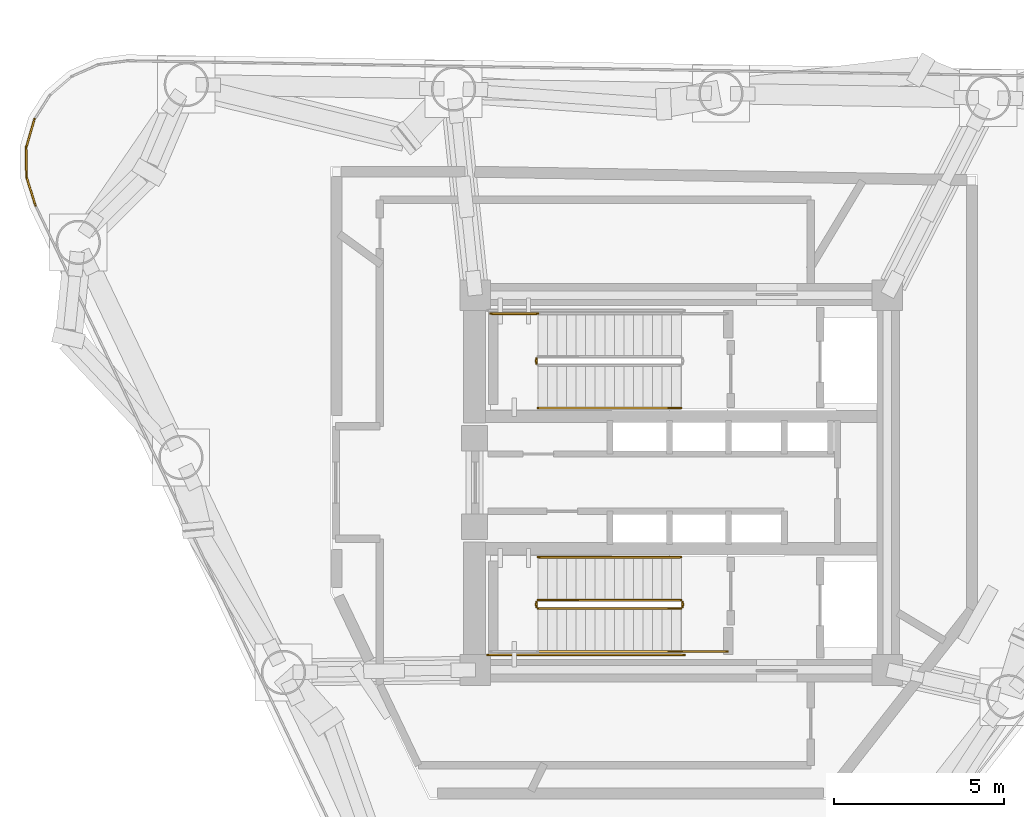
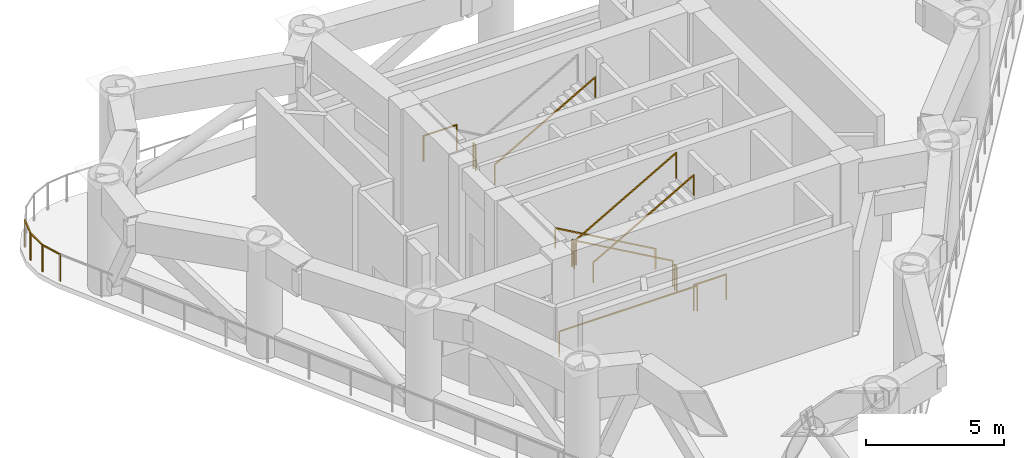
# One storey, part 7 of 9: 14 railings.
"""IFC4 building model written with IfcOpenShell, lengths in metres."""

from ifc_helpers import new_model, si_unit, direction, frame, origin, origin_2d, place, context, subcontext, project, spatial, rectangle, extrude, material, type_object, element, save


model = new_model("IFC4")

# Units and contexts
model_context = context("Model", 3, precision=1e-05, world=origin(), true_north=direction((0.0, 1.0)))
body_context = subcontext(model_context, "Body", "Model", "MODEL_VIEW")
ifc_project = project(units=[si_unit("LENGTHUNIT", "METRE"), si_unit("AREAUNIT", "SQUARE_METRE"), si_unit("VOLUMEUNIT", "CUBIC_METRE"), si_unit("PLANEANGLEUNIT", "RADIAN"), si_unit("MASSUNIT", "GRAM", prefix="KILO")], contexts=[model_context])

# Site, building, storey
site_placement = place(None, origin())
site = spatial("IfcSite", under=ifc_project, at=site_placement, CompositionType="ELEMENT")
building_placement = place(site_placement, origin())
building = spatial("IfcBuilding", under=site, at=building_placement, Name="Yunling Apex Tower", CompositionType="ELEMENT")
storey_placement = place(building_placement, frame((0.0, 0.0, 153.64990234375)))
storey = spatial("IfcBuildingStorey", under=building, at=storey_placement, Name="RF4", CompositionType="ELEMENT", Elevation=153.64990234375)

# Railings
ifc_material_1 = material(Name="Bronze anodised aluminium", Category="aluminium")
railing_type_1 = type_object("IfcRailingType", Name="RL-BAL-1200", PredefinedType="BALUSTRADE", material=ifc_material_1)
railing_1_placement = place(storey_placement, frame((-18.972412109375, 8.143310546875, 0.0)))
element("IfcRailing", 1, at=railing_1_placement, inside=storey, type_object=railing_type_1, Name="RL-REF-RF4-02", PredefinedType="BALUSTRADE", context=body_context, shape_type="SweptSolid", body=[
    extrude(rectangle(XDim=0.0439453125, YDim=0.0439453125, at=origin_2d()), origin(), (0.0, 0.0, 1.0), 1.199951171875),
    extrude(rectangle(XDim=0.0439453125, YDim=0.0439453125, at=origin_2d()), frame((-0.264892578125, 0.8564453125, 0.0)), (0.0, 0.0, 1.0), 1.199951171875),
    extrude(rectangle(XDim=0.050048828125, YDim=0.050048828125, at=origin_2d()), frame((-0.01123046875, 0.03662109375, 1.1748046875), z_axis=(-0.295482535201, 0.95534814146, 0.0), x_axis=(-0.95534814146, -0.295482535201, 0.0)), (0.0, 0.0, 1.0), 0.81982421875),
])
railing_2_placement = place(storey_placement, frame((-19.232666015625, 8.97021484375, 0.0)))
element("IfcRailing", 2, at=railing_2_placement, inside=storey, type_object=railing_type_1, Name="RL-REF-RF4-03", PredefinedType="BALUSTRADE", context=body_context, shape_type="SweptSolid", body=[
    extrude(rectangle(XDim=0.0439453125, YDim=0.0439453125, at=origin_2d()), origin(), (0.0, 0.0, 1.0), 1.199951171875),
    extrude(rectangle(XDim=0.0439453125, YDim=0.0439453125, at=origin_2d()), frame((-0.008544921875, 0.883056640625, 0.0)), (0.0, 0.0, 1.0), 1.199951171875),
    extrude(rectangle(XDim=0.050048828125, YDim=0.050048828125, at=origin_2d()), frame((-0.00048828125, 0.038330078125, 1.1748046875), z_axis=(-0.009676074509, 0.999953185695, 0.0), x_axis=(-0.999953185695, -0.009676074509, 0.0)), (0.0, 0.0, 1.0), 0.806396484375),
])
railing_3_placement = place(storey_placement, frame((-19.2451171875, 9.823974609375, 0.0)))
element("IfcRailing", 3, at=railing_3_placement, inside=storey, type_object=railing_type_1, Name="RL-REF-RF4-04", PredefinedType="BALUSTRADE", context=body_context, shape_type="SweptSolid", body=[
    extrude(rectangle(XDim=0.0439453125, YDim=0.0439453125, at=origin_2d()), origin(), (0.0, 0.0, 1.0), 1.199951171875),
    extrude(rectangle(XDim=0.0439453125, YDim=0.0439453125, at=origin_2d()), frame((0.244873046875, 0.848388671875, 0.0)), (0.0, 0.0, 1.0), 1.199951171875),
    extrude(rectangle(XDim=0.050048828125, YDim=0.050048828125, at=origin_2d()), frame((0.0107421875, 0.036865234375, 1.1748046875), z_axis=(0.277312812791, 0.960779685392, 0.0), x_axis=(-0.960779685392, 0.277312812791, 0.0)), (0.0, 0.0, 1.0), 0.806396484375),
])
ifc_material_2 = material(Name="Steel Q355B", Category="steel")
railing_type_2 = type_object("IfcRailingType", Name="RL-GRD-1150", PredefinedType="GUARDRAIL", material=ifc_material_2)
railing_4_placement = place(storey_placement, frame((-4.260009765625, 3.64990234375, 2.550048828125)))
element("IfcRailing", 4, at=railing_4_placement, inside=storey, type_object=railing_type_2, Name="RF4 ST-1 stair guard 2", PredefinedType="GUARDRAIL", context=body_context, shape_type="SweptSolid", body=[
    extrude(rectangle(XDim=0.0439453125, YDim=0.0439453125, at=origin_2d()), origin(), (0.0, 0.0, 1.0), 1.14990234375),
    extrude(rectangle(XDim=0.0439453125, YDim=0.0439453125, at=origin_2d()), frame((0.0, -0.14990234375, 0.0)), (0.0, 0.0, 1.0), 1.14990234375),
    extrude(rectangle(XDim=0.050048828125, YDim=0.050048828125, at=origin_2d()), frame((0.0, -0.038330078125, 1.125), z_axis=(0.0, -1.0, 0.0), x_axis=(1.0, 0.0, 0.0)), (0.0, 0.0, 1.0), 0.0732421875),
])
railing_5_placement = place(storey_placement, frame((-4.2099609375, 4.9599609375, 2.550048828125)))
element("IfcRailing", 5, at=railing_5_placement, inside=storey, type_object=railing_type_2, Name="RF4 ST-1 stair guard 3", PredefinedType="GUARDRAIL", context=body_context, shape_type="SweptSolid", body=[
    extrude(rectangle(XDim=0.0439453125, YDim=0.0439453125, at=origin_2d()), origin(), (0.0, 0.0, 1.0), 1.14990234375),
    extrude(rectangle(XDim=0.0439453125, YDim=0.0439453125, at=origin_2d()), frame((-1.39013671875, 0.0, 0.0)), (0.0, 0.0, 1.0), 1.14990234375),
    extrude(rectangle(XDim=0.050048828125, YDim=0.050048828125, at=origin_2d()), frame((-0.038330078125, 0.0, 1.125), z_axis=(-1.0, 0.0, 0.0), x_axis=(0.0, -1.0, 0.0)), (0.0, 0.0, 1.0), 1.3134765625),
])
railing_6_placement = place(storey_placement, frame((-0.010009765625, -3.449951171875, 0.159423828125)))
element("IfcRailing", 6, at=railing_6_placement, inside=storey, type_object=railing_type_2, Name="RF4 ST-2 stair guard 1", PredefinedType="GUARDRAIL", context=body_context, shape_type="SweptSolid", body=[
    extrude(rectangle(XDim=0.0439453125, YDim=0.0439453125, at=origin_2d()), origin(), (0.0, 0.0, 1.0), 1.14990234375),
    extrude(rectangle(XDim=0.0439453125, YDim=0.0439453125, at=origin_2d()), frame((-4.199951171875, 0.0, 2.390625)), (0.0, 0.0, 1.0), 1.14990234375),
    extrude(rectangle(XDim=0.050048828125, YDim=0.050048828125, at=origin_2d()), frame((-0.033203125, 0.0, 1.143798828125), z_axis=(-0.869075089623, 0.0, 0.494680188199), x_axis=(0.0, -1.0, 0.0)), (0.0, 0.0, 1.0), 4.756103515625),
])
railing_7_placement = place(storey_placement, frame((-4.260009765625, -3.5, 2.550048828125)))
element("IfcRailing", 7, at=railing_7_placement, inside=storey, type_object=railing_type_2, Name="RF4 ST-2 stair guard 2", PredefinedType="GUARDRAIL", context=body_context, shape_type="SweptSolid", body=[
    extrude(rectangle(XDim=0.0439453125, YDim=0.0439453125, at=origin_2d()), origin(), (0.0, 0.0, 1.0), 1.14990234375),
    extrude(rectangle(XDim=0.0439453125, YDim=0.0439453125, at=origin_2d()), frame((0.0, -0.14990234375, 0.0)), (0.0, 0.0, 1.0), 1.14990234375),
    extrude(rectangle(XDim=0.050048828125, YDim=0.050048828125, at=origin_2d()), frame((0.0, -0.038330078125, 1.125), z_axis=(0.0, -1.0, 0.0), x_axis=(1.0, 0.0, 0.0)), (0.0, 0.0, 1.0), 0.0732421875),
])
railing_8_placement = place(storey_placement, frame((-4.2099609375, -3.699951171875, 2.70947265625)))
element("IfcRailing", 8, at=railing_8_placement, inside=storey, type_object=railing_type_2, Name="RF4 ST-2 stair guard 4", PredefinedType="GUARDRAIL", context=body_context, shape_type="SweptSolid", body=[
    extrude(rectangle(XDim=0.0439453125, YDim=0.0439453125, at=origin_2d()), origin(), (0.0, 0.0, 1.0), 1.14990234375),
    extrude(rectangle(XDim=0.0439453125, YDim=0.0439453125, at=origin_2d()), frame((4.199951171875, 0.0, 2.390625)), (0.0, 0.0, 1.0), 1.14990234375),
    extrude(rectangle(XDim=0.050048828125, YDim=0.050048828125, at=origin_2d()), frame((0.033203125, 0.0, 1.143798828125), z_axis=(0.869075089623, 0.0, 0.494680188199), x_axis=(0.0, 1.0, 0.0)), (0.0, 0.0, 1.0), 4.756103515625),
])
railing_9_placement = place(storey_placement, frame((0.0400390625, -3.5, 0.0)))
element("IfcRailing", 9, at=railing_9_placement, inside=storey, type_object=railing_type_2, Name="RF4 ST-2 stair guard 5", PredefinedType="GUARDRAIL", context=body_context, shape_type="SweptSolid", body=[
    extrude(rectangle(XDim=0.0439453125, YDim=0.0439453125, at=origin_2d()), origin(), (0.0, 0.0, 1.0), 1.14990234375),
    extrude(rectangle(XDim=0.0439453125, YDim=0.0439453125, at=origin_2d()), frame((0.0, -0.14990234375, 0.0)), (0.0, 0.0, 1.0), 1.14990234375),
    extrude(rectangle(XDim=0.050048828125, YDim=0.050048828125, at=origin_2d()), frame((0.0, -0.038330078125, 1.125), z_axis=(0.0, -1.0, 0.0), x_axis=(1.0, 0.0, 0.0)), (0.0, 0.0, 1.0), 0.0732421875),
])
railing_10_placement = place(storey_placement, frame((1.35009765625, -4.9599609375, 0.0)))
element("IfcRailing", 10, at=railing_10_placement, inside=storey, type_object=railing_type_2, Name="RF4 ST-2 stair guard 6", PredefinedType="GUARDRAIL", context=body_context, shape_type="SweptSolid", body=[
    extrude(rectangle(XDim=0.0439453125, YDim=0.0439453125, at=origin_2d()), origin(), (0.0, 0.0, 1.0), 1.14990234375),
    extrude(rectangle(XDim=0.0439453125, YDim=0.0439453125, at=origin_2d()), frame((-1.360107421875, 0.0, 0.0)), (0.0, 0.0, 1.0), 1.14990234375),
    extrude(rectangle(XDim=0.050048828125, YDim=0.050048828125, at=origin_2d()), frame((-0.038330078125, 0.0, 1.125), z_axis=(-1.0, 0.0, 0.0), x_axis=(0.0, -1.0, 0.0)), (0.0, 0.0, 1.0), 1.283447265625),
])
railing_11_placement = place(storey_placement, frame((0.090087890625, -5.06005859375, 0.0)))
element("IfcRailing", 11, at=railing_11_placement, inside=storey, type_object=railing_type_2, Name="RF4 ST-2 stair guard 7", PredefinedType="GUARDRAIL", context=body_context, shape_type="SweptSolid", body=[
    extrude(rectangle(XDim=0.0439453125, YDim=0.0439453125, at=origin_2d()), origin(), (0.0, 0.0, 1.0), 1.14990234375),
    extrude(rectangle(XDim=0.0439453125, YDim=0.0439453125, at=origin_2d()), frame((-5.7900390625, 0.0, 0.0)), (0.0, 0.0, 1.0), 1.14990234375),
    extrude(rectangle(XDim=0.050048828125, YDim=0.050048828125, at=origin_2d()), frame((-0.038330078125, 0.0, 1.125), z_axis=(-1.0, 0.0, 0.0), x_axis=(0.0, -1.0, 0.0)), (0.0, 0.0, 1.0), 5.71337890625),
])
ifc_material_3 = material(Name="Silver anodised aluminium", Category="aluminium")
railing_type_3 = type_object("IfcRailingType", Name="RL-HND-900", PredefinedType="HANDRAIL", material=ifc_material_3)
railing_12_placement = place(storey_placement, frame((-4.2099609375, 2.18994140625, 2.70947265625)))
element("IfcRailing", 12, at=railing_12_placement, inside=storey, type_object=railing_type_3, Name="RF4 ST-1 stair handrail 2", PredefinedType="HANDRAIL", context=body_context, shape_type="SweptSolid", body=[
    extrude(rectangle(XDim=0.0439453125, YDim=0.0439453125, at=origin_2d()), origin(), (0.0, 0.0, 1.0), 0.919921875),
    extrude(rectangle(XDim=0.0439453125, YDim=0.0439453125, at=origin_2d()), frame((4.199951171875, 0.0, 2.390625)), (0.0, 0.0, 1.0), 0.919921875),
    extrude(rectangle(XDim=0.050048828125, YDim=0.050048828125, at=origin_2d()), frame((0.033203125, 0.0, 0.913818359375), z_axis=(0.869075089623, 0.0, 0.494680188199), x_axis=(0.0, 1.0, 0.0)), (0.0, 0.0, 1.0), 4.756103515625),
])
railing_13_placement = place(storey_placement, frame((-0.010009765625, -2.18994140625, 0.159423828125)))
element("IfcRailing", 13, at=railing_13_placement, inside=storey, type_object=railing_type_3, Name="RF4 ST-2 stair handrail 1", PredefinedType="HANDRAIL", context=body_context, shape_type="SweptSolid", body=[
    extrude(rectangle(XDim=0.0439453125, YDim=0.0439453125, at=origin_2d()), origin(), (0.0, 0.0, 1.0), 0.919921875),
    extrude(rectangle(XDim=0.0439453125, YDim=0.0439453125, at=origin_2d()), frame((-4.199951171875, 0.0, 2.390625)), (0.0, 0.0, 1.0), 0.919921875),
    extrude(rectangle(XDim=0.050048828125, YDim=0.050048828125, at=origin_2d()), frame((-0.033203125, 0.0, 0.913818359375), z_axis=(-0.869075089623, 0.0, 0.494680188199), x_axis=(0.0, -1.0, 0.0)), (0.0, 0.0, 1.0), 4.756103515625),
])
railing_14_placement = place(storey_placement, frame((-4.2099609375, -4.9599609375, 2.70947265625)))
element("IfcRailing", 14, at=railing_14_placement, inside=storey, type_object=railing_type_3, Name="RF4 ST-2 stair handrail 2", PredefinedType="HANDRAIL", context=body_context, shape_type="SweptSolid", body=[
    extrude(rectangle(XDim=0.0439453125, YDim=0.0439453125, at=origin_2d()), origin(), (0.0, 0.0, 1.0), 0.919921875),
    extrude(rectangle(XDim=0.0439453125, YDim=0.0439453125, at=origin_2d()), frame((4.199951171875, 0.0, 2.390625)), (0.0, 0.0, 1.0), 0.919921875),
    extrude(rectangle(XDim=0.050048828125, YDim=0.050048828125, at=origin_2d()), frame((0.033203125, 0.0, 0.913818359375), z_axis=(0.869075089623, 0.0, 0.494680188199), x_axis=(0.0, 1.0, 0.0)), (0.0, 0.0, 1.0), 4.756103515625),
])

save(model, "model.ifc")
